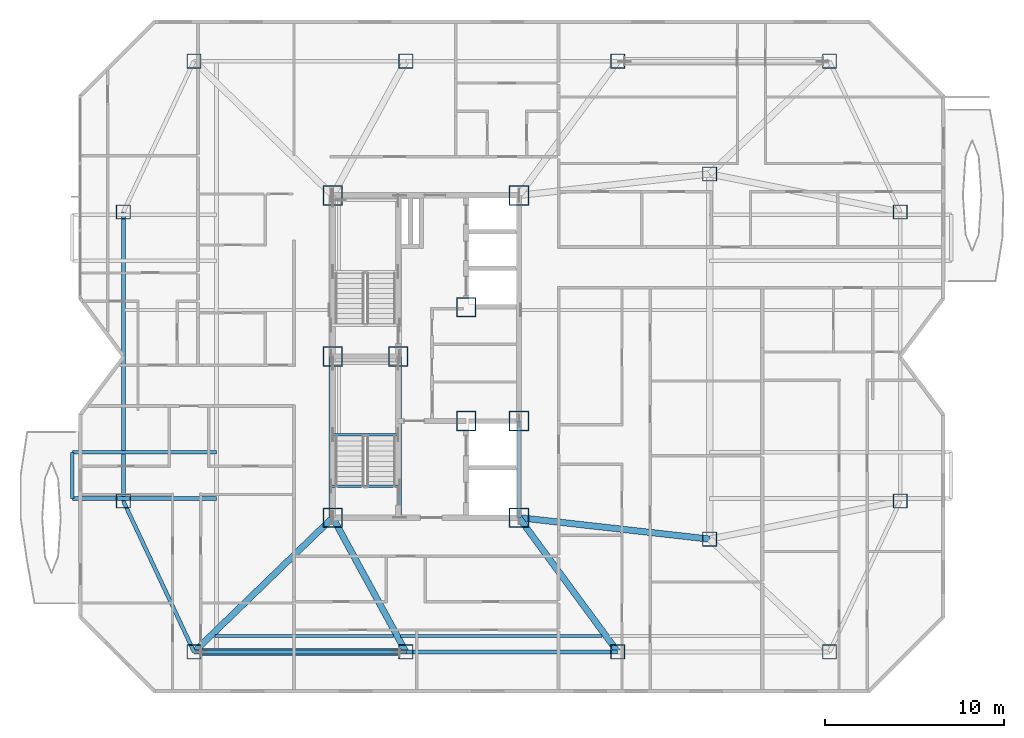
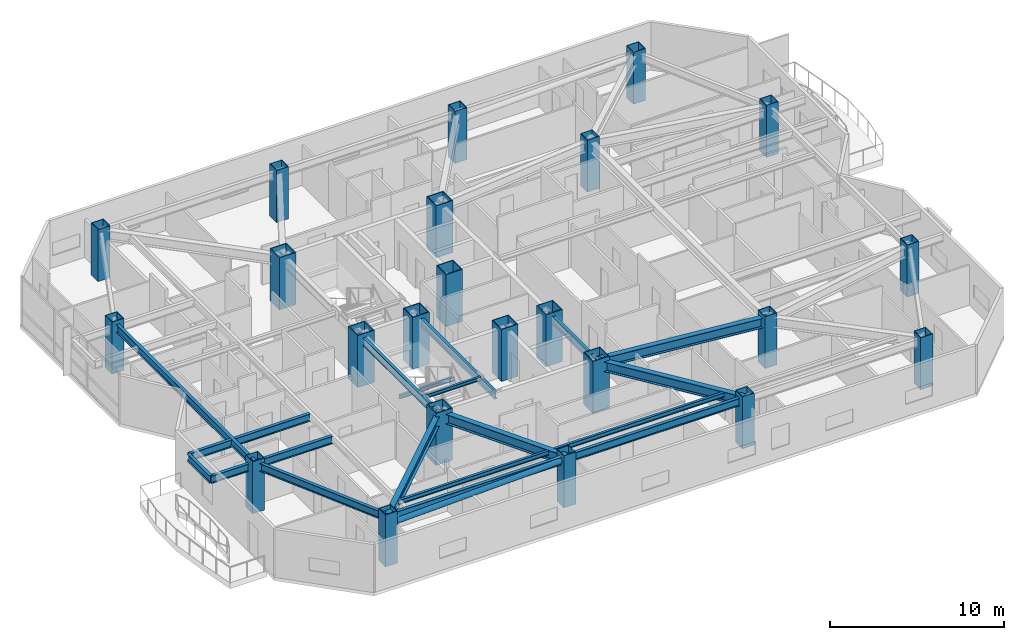
# One storey, part 1 of 20: 23 columns, 18 beams, 1 member.
"""IFC4 building model written with IfcOpenShell, lengths in metres."""

from ifc_helpers import new_model, si_unit, direction, frame, origin, origin_2d, place, context, subcontext, project, spatial, hollow_rectangle, hollow_circle, i_section, extrude, material, material_profile, profile_set, type_object, element, save


model = new_model("IFC4")

# Units and contexts
model_context = context("Model", 3, precision=1e-05, world=origin(), true_north=direction((0.0, 1.0)))
body_context = subcontext(model_context, "Body", "Model", "MODEL_VIEW")
ifc_project = project(units=[si_unit("LENGTHUNIT", "METRE"), si_unit("AREAUNIT", "SQUARE_METRE"), si_unit("VOLUMEUNIT", "CUBIC_METRE"), si_unit("PLANEANGLEUNIT", "RADIAN"), si_unit("MASSUNIT", "GRAM", prefix="KILO")], contexts=[model_context])

# Site, building, storey
site_placement = place(None, origin())
site = spatial("IfcSite", under=ifc_project, at=site_placement, CompositionType="ELEMENT")
building_placement = place(site_placement, origin())
building = spatial("IfcBuilding", under=site, at=building_placement, Name="Khamvora Tower", CompositionType="ELEMENT")
storey_placement = place(building_placement, frame((0.0, 0.0, 203.35009765625)))
storey = spatial("IfcBuildingStorey", under=building, at=storey_placement, Name="L52", CompositionType="ELEMENT", Elevation=203.35009765625)

# Columns
ifc_material_1 = material(Name="Steel S460", Category="steel")
ifc_material_profile_1 = material_profile(ifc_material_1, hollow_rectangle(XDim=1.10009765625, YDim=1.10009765625, WallThickness=0.054931640625, at=origin_2d()), Name="BOX1100x1100x55")
ifc_profile_set_1 = profile_set([ifc_material_profile_1], Name="Steel S460")
column_type_1 = type_object("IfcColumnType", Name="COL-BOX1100", PredefinedType="COLUMN", material=ifc_profile_set_1)
for number, where, z_axis, x_axis, name in (
    (1, (29.0, 19.0, 0.0), (0.0, 0.0, 1.0), (1.0, 0.0, 0.0), "L52 plumb core spine column SC1"),
    (2, (32.64990234375, 28.0, 0.0), (0.0, 0.0, 1.0), (1.0, 0.0, 0.0), "L52 plumb core spine column SC2"),
    (3, (39.39990234375, 19.0, 0.0), (0.0, 0.0, 1.0), (1.0, 0.0, 0.0), "L52 plumb core spine column SC3"),
    (4, (29.0, 28.0, 0.0), (0.0, 0.0, 1.0), (1.0, 0.0, 0.0), "L52 plumb core spine column SC4"),
    (5, (36.449951171875, 24.39990234375, 0.0), (0.0, 0.0, 1.0), (1.0, 0.0, 0.0), "L52 plumb core spine column SC5"),
    (6, (39.39990234375, 24.39990234375, 0.0), (0.0, 0.0, 1.0), (1.0, 0.0, 0.0), "L52 plumb core spine column SC6"),
    (7, (29.0, 37.0, 0.0), (0.0, 0.0, 1.0), (1.0, 0.0, 0.0), "L52 plumb core spine column SC7"),
    (8, (36.449951171875, 30.75, 0.0), (0.0, 0.0, 1.0), (1.0, 0.0, 0.0), "L52 plumb core spine column SC8"),
    (9, (39.39990234375, 37.0, 0.0), (0.0, 0.0, 1.0), (1.0, 0.0, 0.0), "L52 plumb core spine column SC9"),
):
    element("IfcColumn", number, at=place(storey_placement, frame(where, z_axis=z_axis, x_axis=x_axis)), inside=storey, type_object=column_type_1, Name=name, PredefinedType="COLUMN", context=body_context, shape_type="SweptSolid", body=[
        extrude(hollow_rectangle(XDim=1.10009765625, YDim=1.10009765625, WallThickness=0.054931640625, at=origin_2d()), origin(), (0.0, 0.0, 1.0), 3.64990234375),
    ])
ifc_material_2 = material(Name="Steel S355", Category="steel")
ifc_material_profile_2 = material_profile(ifc_material_2, hollow_rectangle(XDim=0.800048828125, YDim=0.800048828125, WallThickness=0.0400390625, at=origin_2d()), Name="BOX800x800x40")
ifc_profile_set_2 = profile_set([ifc_material_profile_2], Name="Steel S355")
column_type_2 = type_object("IfcColumnType", Name="COL-BOX800", PredefinedType="COLUMN", material=ifc_profile_set_2)
for number, where, z_axis, x_axis, name in (
    (10, (21.25, 11.5, 0.0), (0.0, 0.0, 1.0), (1.0, 0.0, 0.0), "L52 structural frame column S1"),
    (11, (33.0830078125, 11.5, 0.0), (0.0, 0.0, 1.0), (1.0, 0.0, 0.0), "L52 structural frame column S2"),
    (12, (44.9169921875, 11.5, 0.0), (0.0, 0.0, 1.0), (1.0, 0.0, 0.0), "L52 structural frame column S3"),
    (13, (56.75, 11.5, 0.0), (0.0, 0.0, 1.0), (1.0, 0.0, 0.0), "L52 structural frame column S4"),
    (14, (21.25, 44.5, 0.0), (0.0, 0.0, 1.0), (1.0, 0.0, 0.0), "L52 structural frame column N1"),
    (15, (33.0830078125, 44.5, 0.0), (0.0, 0.0, 1.0), (1.0, 0.0, 0.0), "L52 structural frame column N2"),
    (16, (44.9169921875, 44.5, 0.0), (0.0, 0.0, 1.0), (1.0, 0.0, 0.0), "L52 structural frame column N3"),
    (17, (56.75, 44.5, 0.0), (0.0, 0.0, 1.0), (1.0, 0.0, 0.0), "L52 structural frame column N4"),
    (18, (17.300048828125, 19.925048828125, 0.0), (0.0, 0.0, 1.0), (1.0, 0.0, 0.0), "L52 structural frame column W1"),
    (19, (17.300048828125, 36.074951171875, 0.0), (0.0, 0.0, 1.0), (1.0, 0.0, 0.0), "L52 structural frame column W2"),
    (20, (60.699951171875, 19.925048828125, 0.0), (0.0, 0.0, 1.0), (1.0, 0.0, 0.0), "L52 structural frame column E1"),
    (21, (60.699951171875, 36.074951171875, 0.0), (0.0, 0.0, 1.0), (1.0, 0.0, 0.0), "L52 structural frame column E2"),
    (22, (50.050048828125, 17.800048828125, 0.0), (0.0, 0.0, 1.0), (1.0, 0.0, 0.0), "L52 structural frame column M1"),
    (23, (50.050048828125, 38.199951171875, 0.0), (0.0, 0.0, 1.0), (1.0, 0.0, 0.0), "L52 structural frame column M2"),
):
    element("IfcColumn", number, at=place(storey_placement, frame(where, z_axis=z_axis, x_axis=x_axis)), inside=storey, type_object=column_type_2, Name=name, PredefinedType="COLUMN", context=body_context, shape_type="SweptSolid", body=[
        extrude(hollow_rectangle(XDim=0.800048828125, YDim=0.800048828125, WallThickness=0.0400390625, at=origin_2d()), origin(), (0.0, 0.0, 1.0), 3.64990234375),
    ])

# Beams
ifc_material_profile_3 = material_profile(ifc_material_2, i_section(OverallWidth=0.166015625, OverallDepth=0.31298828125, WebThickness=0.007080078125, FlangeThickness=0.010986328125, FilletRadius=0.010009765625, at=origin_2d()), Name="W310x45")
ifc_profile_set_3 = profile_set([ifc_material_profile_3], Name="Steel S355")
beam_type_1 = type_object("IfcBeamType", Name="BM-JS-W310x45", PredefinedType="JOIST", material=ifc_profile_set_3)
beam_1_placement = place(storey_placement, frame((22.429931640625, 12.39990234375, 3.2138671875), z_axis=(1.0, 0.0, 0.0), x_axis=(0.0, 1.0, 0.0)))
element("IfcBeam", 24, at=beam_1_placement, inside=storey, type_object=beam_type_1, Name="L52 secondary floor joist 01", PredefinedType="JOIST", context=body_context, shape_type="SweptSolid", body=[
    extrude(i_section(OverallWidth=0.166015625, OverallDepth=0.31298828125, WebThickness=0.007080078125, FlangeThickness=0.010986328125, FilletRadius=0.010009765625, at=origin_2d()), origin(), (0.0, 0.0, 1.0), 9.966064453125),
])
beam_2_placement = place(storey_placement, frame((32.7900390625, 12.39990234375, 3.2138671875), z_axis=(1.0, 0.0, 0.0), x_axis=(0.0, 1.0, 0.0)))
element("IfcBeam", 25, at=beam_2_placement, inside=storey, type_object=beam_type_1, Name="L52 secondary floor joist 02", PredefinedType="JOIST", context=body_context, shape_type="SweptSolid", body=[
    extrude(i_section(OverallWidth=0.166015625, OverallDepth=0.31298828125, WebThickness=0.007080078125, FlangeThickness=0.010986328125, FilletRadius=0.010009765625, at=origin_2d()), origin(), (0.0, 0.0, 1.0), 11.25),
])
ifc_material_profile_4 = material_profile(ifc_material_2, i_section(OverallWidth=0.14697265625, OverallDepth=0.261962890625, WebThickness=0.007080078125, FlangeThickness=0.010986328125, FilletRadius=0.008056640625, at=origin_2d()), Name="W250x39")
ifc_profile_set_4 = profile_set([ifc_material_profile_4], Name="Steel S355")
beam_type_2 = type_object("IfcBeamType", Name="BM-LN-W250x39", PredefinedType="LINTEL", material=ifc_profile_set_4)
beam_3_placement = place(storey_placement, frame((29.0, 23.635009765625, 1.493896484375), z_axis=(1.0, 0.0, 0.0), x_axis=(0.0, 1.0, 0.0)))
element("IfcBeam", 26, at=beam_3_placement, inside=storey, type_object=beam_type_2, Name="L52 ST-01 half-landing support beam 1.1", PredefinedType="LINTEL", context=body_context, shape_type="SweptSolid", body=[
    extrude(i_section(OverallWidth=0.14697265625, OverallDepth=0.261962890625, WebThickness=0.007080078125, FlangeThickness=0.010986328125, FilletRadius=0.008056640625, at=origin_2d()), origin(), (0.0, 0.0, 1.0), 3.64990234375),
])
beam_4_placement = place(storey_placement, frame((28.89990234375, 20.75, 3.243896484375), z_axis=(1.0, 0.0, 0.0), x_axis=(0.0, 1.0, 0.0)))
element("IfcBeam", 27, at=beam_4_placement, inside=storey, type_object=beam_type_2, Name="L52 exit stair ST-01 landing trimmer beam", PredefinedType="LINTEL", context=body_context, shape_type="SweptSolid", body=[
    extrude(i_section(OverallWidth=0.14697265625, OverallDepth=0.261962890625, WebThickness=0.007080078125, FlangeThickness=0.010986328125, FilletRadius=0.008056640625, at=origin_2d()), origin(), (0.0, 0.0, 1.0), 3.830078125),
])
ifc_material_profile_5 = material_profile(ifc_material_2, i_section(OverallWidth=0.35498046875, OverallDepth=0.695068359375, WebThickness=0.014892578125, FlangeThickness=0.02490234375, FilletRadius=0.01611328125, at=origin_2d()), Name="W690x217")
ifc_profile_set_5 = profile_set([ifc_material_profile_5], Name="Steel S355")
beam_type_3 = type_object("IfcBeamType", Name="BM-PG-W690x217", PredefinedType="BEAM", material=ifc_profile_set_5)
beam_5_placement = place(storey_placement, frame((29.0, 19.0, 3.02294921875), z_axis=(-0.718602141767, -0.695421427516, 0.0), x_axis=(0.695421427516, -0.718602141767, 0.0)))
element("IfcBeam", 28, at=beam_5_placement, inside=storey, type_object=beam_type_3, Name="L52 primary floor girder S1", PredefinedType="BEAM", context=body_context, shape_type="SweptSolid", body=[
    extrude(i_section(OverallWidth=0.35498046875, OverallDepth=0.695068359375, WebThickness=0.014892578125, FlangeThickness=0.02490234375, FilletRadius=0.01611328125, at=origin_2d()), origin(), (0.0, 0.0, 1.0), 10.784912109375),
])
beam_6_placement = place(storey_placement, frame((29.0, 19.0, 3.02294921875), z_axis=(0.478138862063, -0.878284252725, 0.0), x_axis=(0.878284252725, 0.478138862063, 0.0)))
element("IfcBeam", 29, at=beam_6_placement, inside=storey, type_object=beam_type_3, Name="L52 primary floor girder S2", PredefinedType="BEAM", context=body_context, shape_type="SweptSolid", body=[
    extrude(i_section(OverallWidth=0.35498046875, OverallDepth=0.695068359375, WebThickness=0.014892578125, FlangeThickness=0.02490234375, FilletRadius=0.01611328125, at=origin_2d()), origin(), (0.0, 0.0, 1.0), 8.539306640625),
])
beam_7_placement = place(storey_placement, frame((39.39990234375, 19.0, 3.02294921875), z_axis=(0.592556630955, -0.805528794713, 0.0), x_axis=(0.805528794713, 0.592556630955, 0.0)))
element("IfcBeam", 30, at=beam_7_placement, inside=storey, type_object=beam_type_3, Name="L52 primary floor girder S3", PredefinedType="BEAM", context=body_context, shape_type="SweptSolid", body=[
    extrude(i_section(OverallWidth=0.35498046875, OverallDepth=0.695068359375, WebThickness=0.014892578125, FlangeThickness=0.02490234375, FilletRadius=0.01611328125, at=origin_2d()), origin(), (0.0, 0.0, 1.0), 9.310546875),
])
beam_8_placement = place(storey_placement, frame((39.39990234375, 19.0, 3.02294921875), z_axis=(0.993712543569, -0.111961514606, 0.0), x_axis=(0.111961514606, 0.993712543569, 0.0)))
element("IfcBeam", 31, at=beam_8_placement, inside=storey, type_object=beam_type_3, Name="L52 primary floor girder M1", PredefinedType="BEAM", context=body_context, shape_type="SweptSolid", body=[
    extrude(i_section(OverallWidth=0.35498046875, OverallDepth=0.695068359375, WebThickness=0.014892578125, FlangeThickness=0.02490234375, FilletRadius=0.01611328125, at=origin_2d()), origin(), (0.0, 0.0, 1.0), 10.717529296875),
])
ifc_material_profile_6 = material_profile(ifc_material_2, i_section(OverallWidth=0.2119140625, OverallDepth=0.5439453125, WebThickness=0.012939453125, FlangeThickness=0.02099609375, FilletRadius=0.013916015625, at=origin_2d()), Name="W530x123")
ifc_profile_set_6 = profile_set([ifc_material_profile_6], Name="Steel S355")
beam_type_4 = type_object("IfcBeamType", Name="BM-SP-W530x123", PredefinedType="SPANDREL", material=ifc_profile_set_6)
beam_9_placement = place(storey_placement, frame((17.300048828125, 19.925048828125, 3.097900390625), z_axis=(0.424496391454, -0.905429629315, 0.0), x_axis=(0.905429629315, 0.424496391454, 0.0)))
element("IfcBeam", 32, at=beam_9_placement, inside=storey, type_object=beam_type_4, Name="L52 perimeter spandrel beam W1-S1", PredefinedType="SPANDREL", context=body_context, shape_type="SweptSolid", body=[
    extrude(i_section(OverallWidth=0.2119140625, OverallDepth=0.5439453125, WebThickness=0.012939453125, FlangeThickness=0.02099609375, FilletRadius=0.013916015625, at=origin_2d()), origin(), (0.0, 0.0, 1.0), 9.304931640625),
])
beam_10_placement = place(storey_placement, frame((21.25, 11.5, 3.097900390625), z_axis=(1.0, 0.0, 0.0), x_axis=(0.0, 1.0, 0.0)))
element("IfcBeam", 33, at=beam_10_placement, inside=storey, type_object=beam_type_4, Name="L52 perimeter spandrel beam S1-S2", PredefinedType="SPANDREL", context=body_context, shape_type="SweptSolid", body=[
    extrude(i_section(OverallWidth=0.2119140625, OverallDepth=0.5439453125, WebThickness=0.012939453125, FlangeThickness=0.02099609375, FilletRadius=0.013916015625, at=origin_2d()), origin(), (0.0, 0.0, 1.0), 11.8330078125),
])
beam_11_placement = place(storey_placement, frame((33.0830078125, 11.5, 3.097900390625), z_axis=(1.0, 0.0, 0.0), x_axis=(0.0, 1.0, 0.0)))
element("IfcBeam", 34, at=beam_11_placement, inside=storey, type_object=beam_type_4, Name="L52 perimeter spandrel beam S2-S3", PredefinedType="SPANDREL", context=body_context, shape_type="SweptSolid", body=[
    extrude(i_section(OverallWidth=0.2119140625, OverallDepth=0.5439453125, WebThickness=0.012939453125, FlangeThickness=0.02099609375, FilletRadius=0.013916015625, at=origin_2d()), origin(), (0.0, 0.0, 1.0), 11.833984375),
])
beam_12_placement = place(storey_placement, frame((17.300048828125, 36.074951171875, 3.097900390625), z_axis=(0.0, -1.0, 0.0), x_axis=(1.0, 0.0, 0.0)))
element("IfcBeam", 35, at=beam_12_placement, inside=storey, type_object=beam_type_4, Name="L52 perimeter spandrel beam W2-W1", PredefinedType="SPANDREL", context=body_context, shape_type="SweptSolid", body=[
    extrude(i_section(OverallWidth=0.2119140625, OverallDepth=0.5439453125, WebThickness=0.012939453125, FlangeThickness=0.02099609375, FilletRadius=0.013916015625, at=origin_2d()), origin(), (0.0, 0.0, 1.0), 16.14990234375),
])
ifc_material_profile_7 = material_profile(ifc_material_2, i_section(OverallWidth=0.208984375, OverallDepth=0.532958984375, WebThickness=0.010009765625, FlangeThickness=0.01611328125, FilletRadius=0.013916015625, at=origin_2d()), Name="W530x92")
ifc_profile_set_7 = profile_set([ifc_material_profile_7], Name="Steel S355")
beam_type_5 = type_object("IfcBeamType", Name="BM-SP-W530x92", PredefinedType="SPANDREL", material=ifc_profile_set_7)
for number, where, z_axis, x_axis, name in (
    (36, (28.89990234375, 19.0, 3.102783203125), (0.0, 1.0, 0.0), (-1.0, 0.0, 0.0), "L52 core spine girder WS"),
    (37, (32.72998046875, 19.0, 3.102783203125), (0.0, 1.0, 0.0), (-1.0, 0.0, 0.0), "L52 core spine girder M1S"),
):
    element("IfcBeam", number, at=place(storey_placement, frame(where, z_axis=z_axis, x_axis=x_axis)), inside=storey, type_object=beam_type_5, Name=name, PredefinedType="SPANDREL", context=body_context, shape_type="SweptSolid", body=[
        extrude(i_section(OverallWidth=0.208984375, OverallDepth=0.532958984375, WebThickness=0.010009765625, FlangeThickness=0.01611328125, FilletRadius=0.013916015625, at=origin_2d()), origin(), (0.0, 0.0, 1.0), 9.0),
    ])
beam_13_placement = place(storey_placement, frame((39.39990234375, 19.0, 3.102783203125), z_axis=(0.0, 1.0, 0.0), x_axis=(-1.0, 0.0, 0.0)))
element("IfcBeam", 38, at=beam_13_placement, inside=storey, type_object=beam_type_5, Name="L52 core spine girder ES", PredefinedType="SPANDREL", context=body_context, shape_type="SweptSolid", body=[
    extrude(i_section(OverallWidth=0.208984375, OverallDepth=0.532958984375, WebThickness=0.010009765625, FlangeThickness=0.01611328125, FilletRadius=0.013916015625, at=origin_2d()), origin(), (0.0, 0.0, 1.0), 5.39990234375),
])
for number, where, z_axis, x_axis, name in (
    (39, (22.5, 20.074951171875, 2.9638671875), (-1.0, 0.0, 0.0), (0.0, -1.0, 0.0), "L52 continuous gallery cantilever girder L53-WL1-1"),
    (40, (22.5, 22.64990234375, 2.9638671875), (-1.0, 0.0, 0.0), (0.0, -1.0, 0.0), "L52 continuous gallery cantilever girder L53-WL1-2"),
):
    element("IfcBeam", number, at=place(storey_placement, frame(where, z_axis=z_axis, x_axis=x_axis)), inside=storey, type_object=beam_type_5, Name=name, PredefinedType="SPANDREL", context=body_context, shape_type="SweptSolid", body=[
        extrude(i_section(OverallWidth=0.208984375, OverallDepth=0.532958984375, WebThickness=0.010009765625, FlangeThickness=0.01611328125, FilletRadius=0.013916015625, at=origin_2d()), origin(), (0.0, 0.0, 1.0), 8.050048828125),
    ])
beam_14_placement = place(storey_placement, frame((14.449951171875, 20.074951171875, 2.9638671875), z_axis=(0.0, 1.0, 0.0), x_axis=(-1.0, 0.0, 0.0)))
element("IfcBeam", 41, at=beam_14_placement, inside=storey, type_object=beam_type_5, Name="L52 external gallery edge header beam L53-WL1", PredefinedType="SPANDREL", context=body_context, shape_type="SweptSolid", body=[
    extrude(i_section(OverallWidth=0.208984375, OverallDepth=0.532958984375, WebThickness=0.010009765625, FlangeThickness=0.01611328125, FilletRadius=0.013916015625, at=origin_2d()), origin(), (0.0, 0.0, 1.0), 2.574951171875),
])

# Member
ifc_material_profile_8 = material_profile(ifc_material_2, hollow_circle(Radius=0.202880859375, WallThickness=0.01611328125, at=origin_2d()), Name="CHS406x16")
ifc_profile_set_8 = profile_set([ifc_material_profile_8], Name="Steel S355")
member_type = type_object("IfcMemberType", Name="MEM-BR-CHS406", PredefinedType="BRACE", material=ifc_profile_set_8)
member_placement = place(storey_placement, frame((21.6298828125, 11.5, 2.69384765625), z_axis=(0.99936742142, 0.0, 0.035563422295), x_axis=(0.0, 1.0, 0.0)))
element("IfcMember", 42, at=member_placement, inside=storey, type_object=member_type, Name="L52 perimeter wind brace 1", PredefinedType="BRACE", context=body_context, shape_type="SweptSolid", body=[
    extrude(hollow_circle(Radius=0.202880859375, WallThickness=0.01611328125, at=origin_2d()), origin(), (0.0, 0.0, 1.0), 11.080078125),
])

save(model, "model.ifc")
